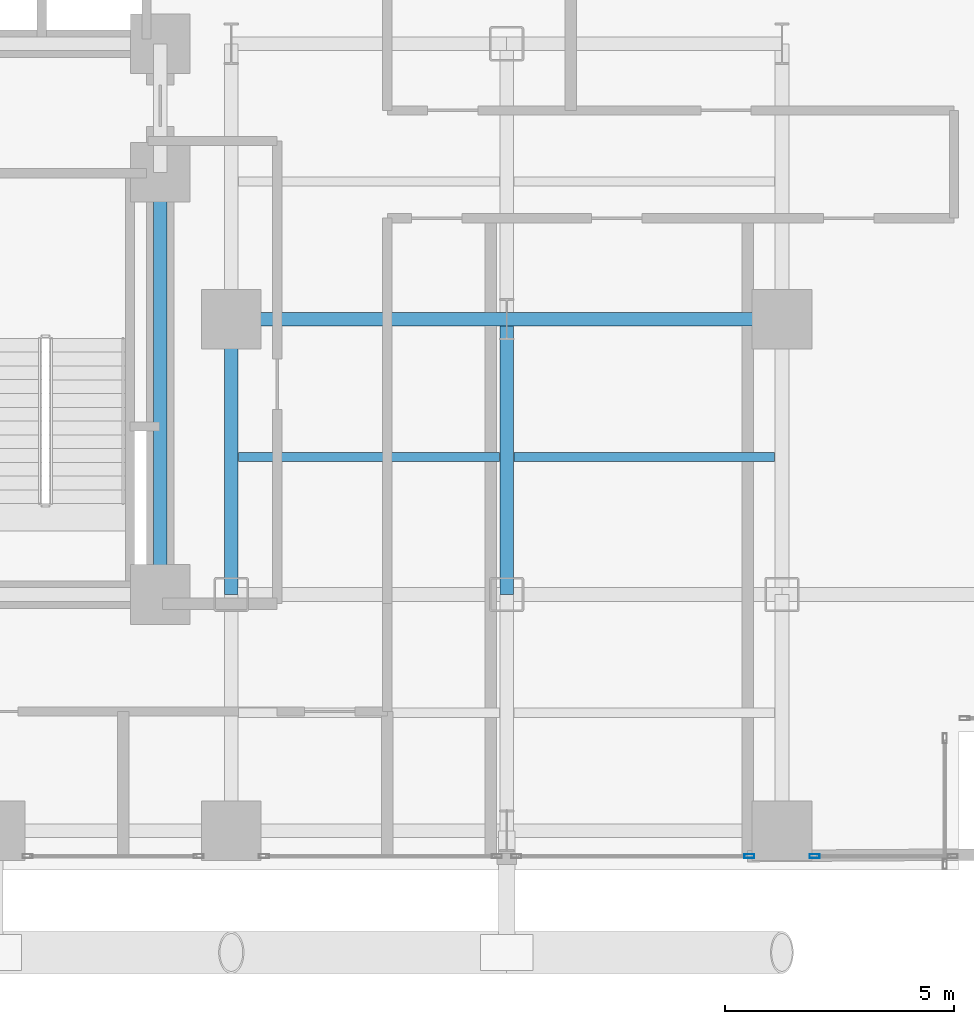
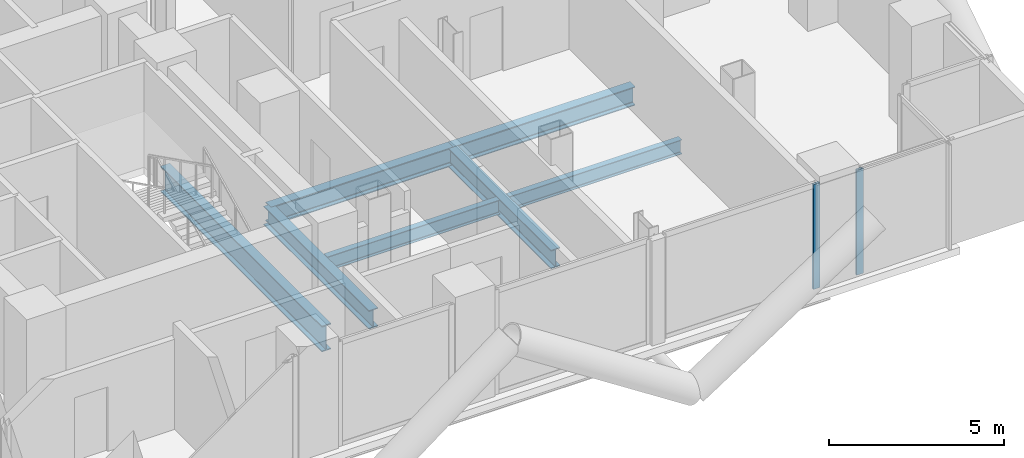
# One storey, part 9 of 25: 7 beams, 2 members, 2 elements without a shape of their own.
"""IFC4 building model written with IfcOpenShell, lengths in metres."""

from ifc_helpers import new_model, si_unit, direction, frame, origin, origin_2d, place, context, subcontext, project, spatial, hollow_rectangle, i_section, extrude, material, layer, layer_set, material_profile, profile_set, type_object, element, aggregate, save


model = new_model("IFC4")

# Units and contexts
model_context = context("Model", 3, precision=1e-05, world=origin(), true_north=direction((0.0, 1.0)))
body_context = subcontext(model_context, "Body", "Model", "MODEL_VIEW")
ifc_project = project(units=[si_unit("LENGTHUNIT", "METRE"), si_unit("AREAUNIT", "SQUARE_METRE"), si_unit("VOLUMEUNIT", "CUBIC_METRE"), si_unit("PLANEANGLEUNIT", "RADIAN"), si_unit("MASSUNIT", "GRAM", prefix="KILO"), si_unit("THERMODYNAMICTEMPERATUREUNIT", "KELVIN"), si_unit("POWERUNIT", "WATT")], contexts=[model_context])

# Site, building, storey
site_placement = place(None, origin())
site = spatial("IfcSite", under=ifc_project, at=site_placement, CompositionType="ELEMENT")
building_placement = place(site_placement, origin())
building = spatial("IfcBuilding", under=site, at=building_placement, Name="Svarakhadi Broadcast Tower", CompositionType="ELEMENT")
storey_placement = place(building_placement, frame((0.0, 0.0, 79.199951171875)))
storey = spatial("IfcBuildingStorey", under=building, at=storey_placement, Name="L18", CompositionType="ELEMENT", Elevation=79.199951171875)

# Beams
ifc_material_1 = material(Name="Steel S355J2 (IS 2062 E350C)", Category="steel")
ifc_material_profile_1 = material_profile(ifc_material_1, i_section(OverallWidth=0.199951171875, OverallDepth=0.5, WebThickness=0.01025390625, FlangeThickness=0.01611328125, FilletRadius=0.02099609375, at=origin_2d()), Name="NPB 500x200x91")
ifc_profile_set_1 = profile_set([ifc_material_profile_1], Name="Steel S355J2 (IS 2062 E350C)")
beam_type_1 = type_object("IfcBeamType", Name="Beam_NPB500", PredefinedType="BEAM", material=ifc_profile_set_1)
for number, where, z_axis, x_axis, name in (
    (1, (35.31005859375, 9.0, -0.5), (1.0, 0.0, 0.0), (0.0, 1.0, 0.0), "L18 Secondary Composite Beam SB023"),
    (2, (41.31005859375, 9.0, -0.5), (1.0, 0.0, 0.0), (0.0, 1.0, 0.0), "L18 Secondary Composite Beam SB026"),
):
    element("IfcBeam", number, at=place(storey_placement, frame(where, z_axis=z_axis, x_axis=x_axis)), inside=storey, type_object=beam_type_1, Name=name, PredefinedType="BEAM", context=body_context, shape_type="SweptSolid", body=[
        extrude(i_section(OverallWidth=0.199951171875, OverallDepth=0.5, WebThickness=0.01025390625, FlangeThickness=0.01611328125, FilletRadius=0.02099609375, at=origin_2d()), origin(), (0.0, 0.0, 1.0), 5.679931640625),
    ])

# Curtain wall, member
ifc_material_2 = material(Name="Anodised Bronze Aluminium AA 6063-T6", Category="aluminium")
ifc_layer = layer(ifc_material_2, 0.219970703125)
ifc_layer_set = layer_set([ifc_layer], Name="Anodised Bronze Aluminium AA 6063-T6")
curtain_wall_type = type_object("IfcCurtainWallType", Name="CW_Sys_02", PredefinedType="NOTDEFINED", material=ifc_layer_set)
curtain_wall_1_placement = place(storey_placement, origin())
curtain_wall_1 = element("IfcCurtainWall", 3, at=curtain_wall_1_placement, inside=storey, type_object=curtain_wall_type, Name="L18 South Curtain Wall 16 Bay 1", PredefinedType="NOTDEFINED")
ifc_material_profile_2 = material_profile(ifc_material_2, hollow_rectangle(XDim=0.0849609375, YDim=0.219970703125, WallThickness=0.006103515625, at=origin_2d()), Name="ALU MULLION 220x85x6")
ifc_profile_set_2 = profile_set([ifc_material_profile_2], Name="Anodised Bronze Aluminium AA 6063-T6")
member_type = type_object("IfcMemberType", Name="CW_Sys_02_Mul", PredefinedType="MULLION", material=ifc_profile_set_2)
member_1_placement = place(storey_placement, frame((47.862548828125, 0.300048828125, 0.0), z_axis=(0.0, 0.0, 1.0), x_axis=(0.0, -1.0, 0.0)))
member_1 = element("IfcMember", 4, at=member_1_placement, type_object=member_type, Name="CW-02 mullion 2", PredefinedType="MULLION", context=body_context, shape_type="SweptSolid", body=[
    extrude(hollow_rectangle(XDim=0.0849609375, YDim=0.219970703125, WallThickness=0.006103515625, at=origin_2d()), origin(), (0.0, 0.0, 1.0), 3.650146484375),
])
aggregate(curtain_wall_1, [member_1])

curtain_wall_2_placement = place(storey_placement, origin())
curtain_wall_2 = element("IfcCurtainWall", 5, at=curtain_wall_2_placement, inside=storey, type_object=curtain_wall_type, Name="L18 South Curtain Wall 16 Bay 2", PredefinedType="NOTDEFINED")
member_2_placement = place(storey_placement, frame((46.4375, 0.300048828125, 0.0), z_axis=(0.0, 0.0, 1.0), x_axis=(0.0, -1.0, 0.0)))
member_2 = element("IfcMember", 6, at=member_2_placement, type_object=member_type, Name="CW-02 mullion 1", PredefinedType="MULLION", context=body_context, shape_type="SweptSolid", body=[
    extrude(hollow_rectangle(XDim=0.0849609375, YDim=0.219970703125, WallThickness=0.006103515625, at=origin_2d()), origin(), (0.0, 0.0, 1.0), 3.650146484375),
])
aggregate(curtain_wall_2, [member_2])

# Beams
ifc_material_profile_3 = material_profile(ifc_material_1, i_section(OverallWidth=0.300048828125, OverallDepth=0.64990234375, WebThickness=0.01611328125, FlangeThickness=0.031005859375, FilletRadius=0.027099609375, at=origin_2d()), Name="WPB 650x300x225")
ifc_profile_set_3 = profile_set([ifc_material_profile_3], Name="Steel S355J2 (IS 2062 E350C)")
beam_type_2 = type_object("IfcBeamType", Name="Girder_WPB650", PredefinedType="USERDEFINED", material=ifc_profile_set_3)
for number, where, z_axis, x_axis, name in (
    (7, (35.14990234375, 12.0, -0.574951171875), (1.0, 0.0, 0.0), (0.0, 1.0, 0.0), "L18 Primary E-W Girder G023"),
    (8, (41.14990234375, 12.0, -0.574951171875), (1.0, 0.0, 0.0), (0.0, 1.0, 0.0), "L18 Primary E-W Girder G024"),
    (9, (35.14990234375, 6.0, -0.574951171875), (0.0, 1.0, 0.0), (-1.0, 0.0, 0.0), "L18 Primary N-S Girder G077"),
    (10, (41.14990234375, 6.0, -0.574951171875), (0.0, 1.0, 0.0), (-1.0, 0.0, 0.0), "L18 Primary N-S Girder G080"),
):
    element("IfcBeam", number, at=place(storey_placement, frame(where, z_axis=z_axis, x_axis=x_axis)), inside=storey, type_object=beam_type_2, Name=name, ObjectType="GIRDER", PredefinedType="USERDEFINED", context=body_context, shape_type="SweptSolid", body=[
        extrude(i_section(OverallWidth=0.300048828125, OverallDepth=0.64990234375, WebThickness=0.01611328125, FlangeThickness=0.031005859375, FilletRadius=0.027099609375, at=origin_2d()), origin(), (0.0, 0.0, 1.0), 6.0),
    ])
ifc_material_3 = material(Name="Steel S460ML (IS 2062 E450BR)", Category="steel")
ifc_material_profile_4 = material_profile(ifc_material_3, i_section(OverallWidth=0.300048828125, OverallDepth=0.89990234375, WebThickness=0.0185546875, FlangeThickness=0.034912109375, FilletRadius=0.030029296875, at=origin_2d()), Name="WPB 900x300x291")
ifc_profile_set_4 = profile_set([ifc_material_profile_4], Name="Steel S460ML (IS 2062 E450BR)")
beam_type_3 = type_object("IfcBeamType", Name="Girder_WPB900", PredefinedType="USERDEFINED", material=ifc_profile_set_4)
beam_placement = place(storey_placement, frame((33.60009765625, 6.0, -0.699951171875), z_axis=(0.0, 1.0, 0.0), x_axis=(-1.0, 0.0, 0.0)))
element("IfcBeam", 11, at=beam_placement, inside=storey, type_object=beam_type_3, Name="L18 Primary N-S Girder G074", ObjectType="GIRDER", PredefinedType="USERDEFINED", context=body_context, shape_type="SweptSolid", body=[
    extrude(i_section(OverallWidth=0.300048828125, OverallDepth=0.89990234375, WebThickness=0.0185546875, FlangeThickness=0.034912109375, FilletRadius=0.030029296875, at=origin_2d()), origin(), (0.0, 0.0, 1.0), 9.199951171875),
])

save(model, "model.ifc")
